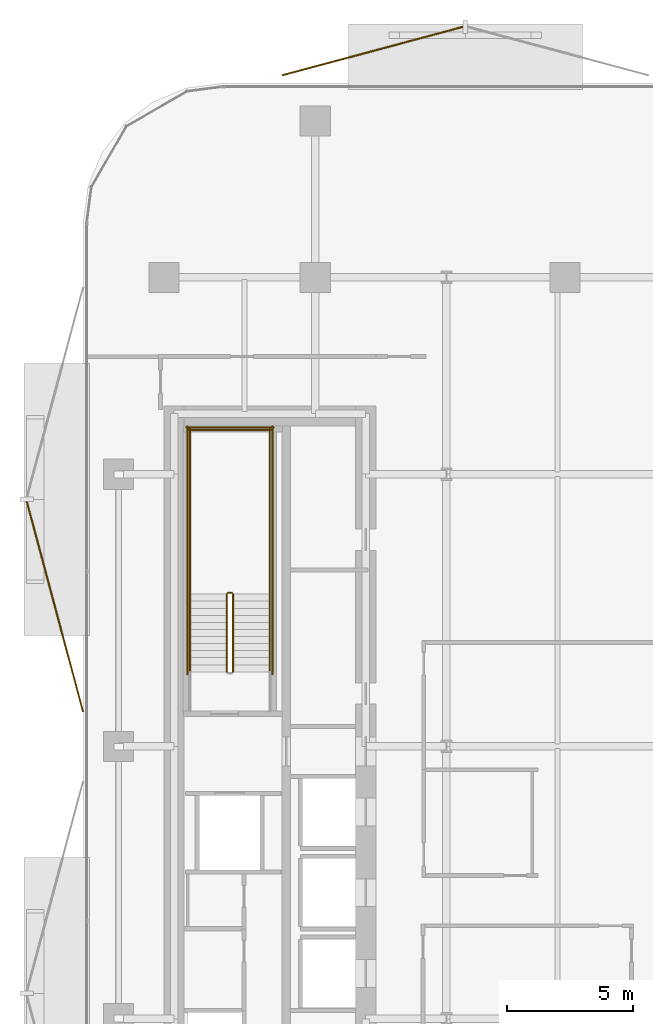
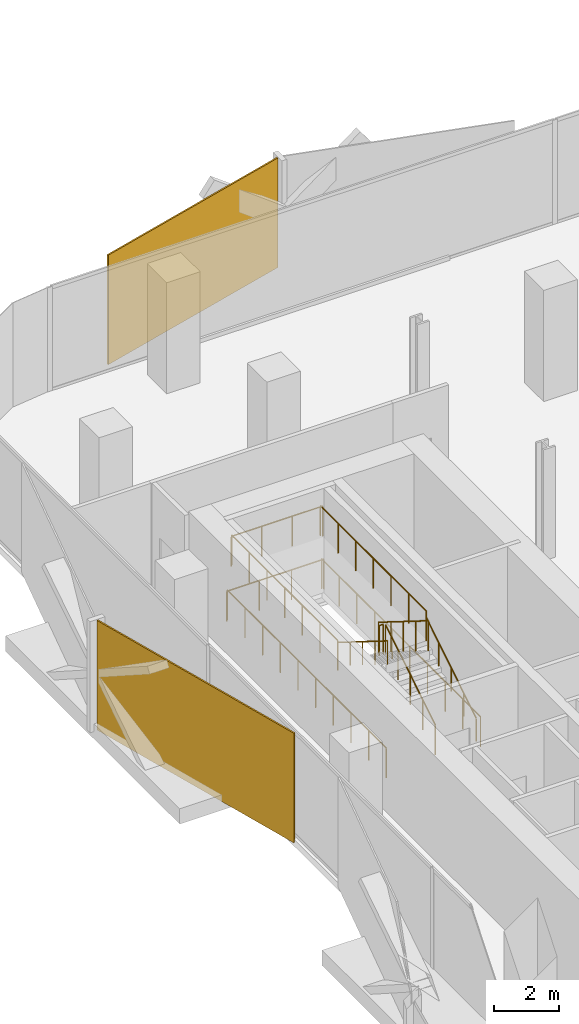
# One storey, part 14 of 15: 11 railings, 2 coverings.
"""IFC4 building model written with IfcOpenShell, lengths in metres."""

import ifcopenshell
import ifcopenshell.guid

model = None  # the IFC model being written
_history = None  # IfcOwnerHistory: only IFC2X3 demands one
_inside = {}  # id of a spatial element -> (the spatial element, [elements in it])
_under = {}  # id of a project, library or spatial element -> (it, [spatial elements below it])
_declared = {}  # id of a project -> (the project, [libraries it declares])
_typed = {}  # id of a type object -> (the type object, [elements of that type])
_made_of = {}  # id of a material, layer set ... -> (it, [elements and type objects made of it])


def new_model(schema):
    """Start an empty IFC model of exactly this schema.

    Asked for "IFC4X3", IfcOpenShell would pick the latest addendum, in which some entities
    have other attributes; the version numbers below select the first issue.
    IFC2X3 requires an IfcOwnerHistory on every rooted entity: one is made here for all.
    """
    global model, _history
    if schema == "IFC4X3":
        model = ifcopenshell.file(schema_version=(4, 3, 0, 0))
    else:
        model = ifcopenshell.file(schema=schema)
    _inside.clear()
    _under.clear()
    _declared.clear()
    _typed.clear()
    _made_of.clear()
    _history = None
    if model.schema == "IFC2X3":
        org = make("IfcOrganization", Name="unknown")
        user = make(
            "IfcPersonAndOrganization",
            ThePerson=make("IfcPerson", FamilyName="unknown"),
            TheOrganization=org,
        )
        app = make(
            "IfcApplication",
            ApplicationDeveloper=org,
            Version="unknown",
            ApplicationFullName="unknown",
            ApplicationIdentifier="unknown",
        )
        _history = make(
            "IfcOwnerHistory",
            OwningUser=user,
            OwningApplication=app,
            ChangeAction="ADDED",
            CreationDate=0,
        )
    return model


def make(cls, **values):
    """One entity of the class cls with the attributes given. An attribute that is None is left unset."""
    return model.create_entity(
        cls, **{name: value for name, value in values.items() if value is not None}
    )


def rooted(cls, **values):
    """An entity with a GlobalId (a new one), such as an element, a storey or a relation."""
    return make(cls, GlobalId=ifcopenshell.guid.new(), OwnerHistory=_history, **values)


def si_unit(unit_type, name, prefix=None):
    """IfcSIUnit, for example si_unit("LENGTHUNIT", "METRE", prefix="MILLI")."""
    return make("IfcSIUnit", UnitType=unit_type, Prefix=prefix, Name=name)


def assignment(units):
    """IfcUnitAssignment: the units of a project."""
    return None if units is None else make("IfcUnitAssignment", Units=units)


def point(xyz):
    """IfcCartesianPoint."""
    return None if xyz is None else make("IfcCartesianPoint", Coordinates=xyz)


def direction(xyz):
    """IfcDirection."""
    return None if xyz is None else make("IfcDirection", DirectionRatios=xyz)


def frame(location, z_axis=None, x_axis=None):
    """IfcAxis2Placement3D, a coordinate frame: its origin and axes. An axis left out is left unset."""
    return make(
        "IfcAxis2Placement3D",
        Location=point(location),
        Axis=direction(z_axis),
        RefDirection=direction(x_axis),
    )


def frame_2d(location, x_axis=None):
    """IfcAxis2Placement2D, a coordinate frame in the plane: its origin and x axis."""
    return make(
        "IfcAxis2Placement2D", Location=point(location), RefDirection=direction(x_axis)
    )


def origin():
    """The frame at (0, 0, 0) with its axes left unset."""
    return frame((0.0, 0.0, 0.0))


def origin_2d():
    """The frame at (0, 0) in the plane with its x axis left unset."""
    return frame_2d((0.0, 0.0))


def place(relative_to, where):
    """IfcLocalPlacement: puts the frame where relative to a parent placement (None: the world)."""
    return make(
        "IfcLocalPlacement", PlacementRelTo=relative_to, RelativePlacement=where
    )


def context(
    kind, dimensions, precision=None, world=None, true_north=None, identifier=None
):
    """IfcGeometricRepresentationContext, for example the 3D "Model" context."""
    return make(
        "IfcGeometricRepresentationContext",
        ContextIdentifier=identifier,
        ContextType=kind,
        CoordinateSpaceDimension=dimensions,
        Precision=precision,
        WorldCoordinateSystem=world,
        TrueNorth=true_north,
    )


def subcontext(parent, identifier, kind, view, scale=None):
    """IfcGeometricRepresentationSubContext, for example "Body" below "Model"."""
    return make(
        "IfcGeometricRepresentationSubContext",
        ContextIdentifier=identifier,
        ContextType=kind,
        ParentContext=parent,
        TargetScale=scale,
        TargetView=view,
    )


def project(units=None, contexts=None):
    """IfcProject with its units and contexts."""
    return rooted(
        "IfcProject",
        Name="project",
        RepresentationContexts=contexts,
        UnitsInContext=assignment(units),
    )


def spatial(cls, under=None, at=None, **own):
    """A site, building, storey or space (cls), placed at a placement, below another one or the project."""
    s = rooted(cls, ObjectPlacement=at, **own)
    if under is not None:
        _under.setdefault(under.id(), (under, []))[1].append(s)
    return s


def profile(cls, at=None, kind="AREA", **sizes):
    """A parametric profile (cls). Its sizes go by their IFC names, for example OverallWidth=200.0."""
    return make(cls, ProfileType=kind, Position=at, **sizes)


def rectangle(**sizes):
    """IfcRectangleProfileDef."""
    return profile("IfcRectangleProfileDef", **sizes)


def circle(**sizes):
    """IfcCircleProfileDef."""
    return profile("IfcCircleProfileDef", **sizes)


def extrude(swept, where, along, depth):
    """IfcExtrudedAreaSolid: the profile swept, set in the frame where, extruded along a direction by depth."""
    return make(
        "IfcExtrudedAreaSolid",
        SweptArea=swept,
        Position=where,
        ExtrudedDirection=direction(along),
        Depth=depth,
    )


def shape(context_of_items, identifier, shape_type, items):
    """IfcShapeRepresentation: the items that make up one representation, for example the "Body"."""
    return make(
        "IfcShapeRepresentation",
        ContextOfItems=context_of_items,
        RepresentationIdentifier=identifier,
        RepresentationType=shape_type,
        Items=items,
    )


def material(Name=None, Category=None):
    """IfcMaterial."""
    return make("IfcMaterial", Name=Name, Category=Category)


def layer(
    of_material, thickness, ventilated=None, Name=None, Category=None, Priority=None
):
    """IfcMaterialLayer: one layer of a wall or slab, of a material (None: an air gap)."""
    return make(
        "IfcMaterialLayer",
        Material=of_material,
        LayerThickness=thickness,
        IsVentilated=ventilated,
        Name=Name,
        Category=Category,
        Priority=Priority,
    )


def layer_set(layers, Name=None):
    """IfcMaterialLayerSet."""
    return make("IfcMaterialLayerSet", MaterialLayers=layers, LayerSetName=Name)


def made_of(thing, what):
    """Note that an element or type object is made of a material, layer set ...; save() writes the relation."""
    if what is not None:
        _made_of.setdefault(what.id(), (what, []))[1].append(thing)
    return thing


def type_object(cls, material=None, **own):
    """A type object (cls), such as IfcWallType, which elements share."""
    return made_of(rooted(cls, **own), material)


def element(
    cls,
    number,
    at=None,
    inside=None,
    cuts=None,
    type_object=None,
    material=None,
    context=None,
    identifier="Body",
    shape_type=None,
    held_by="IfcProductDefinitionShape",
    body=None,
    shapes=None,
    **own,
):
    """One element of the class cls, such as IfcWall. Its Tag is "e" and its number.

    at: its placement. inside: the storey or other place that contains it. cuts: it is an
    opening in that element (IfcRelVoidsElement). A single representation is given by context,
    identifier, shape_type and body (its items); several are given by shapes. held_by: the class
    of the entity that holds the representations. save() writes the other relations.
    """
    e = rooted(cls, Tag="e%d" % number, ObjectPlacement=at, **own)
    if body is not None:
        shapes = [shape(context, identifier, shape_type, body)]
    if shapes is not None:
        e.Representation = make(held_by, Representations=shapes)
    if inside is not None:
        _inside.setdefault(inside.id(), (inside, []))[1].append(e)
    if cuts is not None:
        rooted(
            "IfcRelVoidsElement", RelatingBuildingElement=cuts, RelatedOpeningElement=e
        )
    if type_object is not None:
        _typed.setdefault(type_object.id(), (type_object, []))[1].append(e)
    return made_of(e, material)


def aggregate(whole, parts):
    """IfcRelAggregates: a whole, such as a stair, and the parts it consists of."""
    return rooted("IfcRelAggregates", RelatingObject=whole, RelatedObjects=parts)


def save(model, path):
    """Write the relations noted so far, then the file.

    IfcRelAggregates (storeys below a building ...), IfcRelContainedInSpatialStructure (elements
    in a storey), IfcRelDefinesByType, IfcRelAssociatesMaterial and IfcRelDeclares: one each for
    every whole, place, type object, material and project.
    """
    for whole, parts in _under.values():
        aggregate(whole, parts)
    for where, things in _inside.values():
        rooted(
            "IfcRelContainedInSpatialStructure",
            RelatedElements=things,
            RelatingStructure=where,
        )
    for kind, things in _typed.values():
        rooted("IfcRelDefinesByType", RelatedObjects=things, RelatingType=kind)
    for what, things in _made_of.values():
        rooted("IfcRelAssociatesMaterial", RelatedObjects=things, RelatingMaterial=what)
    for by, libraries in _declared.values():
        rooted("IfcRelDeclares", RelatingContext=by, RelatedDefinitions=libraries)
    model.write(path)


model = new_model("IFC4")

# Units and contexts
model_context = context("Model", 3, precision=1e-05, world=origin(), true_north=direction((0.0, 1.0)))
body_context = subcontext(model_context, "Body", "Model", "MODEL_VIEW")
ifc_project = project(units=[si_unit("LENGTHUNIT", "METRE"), si_unit("AREAUNIT", "SQUARE_METRE"), si_unit("VOLUMEUNIT", "CUBIC_METRE"), si_unit("PLANEANGLEUNIT", "RADIAN"), si_unit("MASSUNIT", "GRAM", prefix="KILO")], contexts=[model_context])

# Site, building, storey
site_placement = place(None, origin())
site = spatial("IfcSite", under=ifc_project, at=site_placement, CompositionType="ELEMENT")
building_placement = place(site_placement, origin())
building = spatial("IfcBuilding", under=site, at=building_placement, Name="Khairoan Windgate Tower", CompositionType="ELEMENT")
storey_placement = place(building_placement, frame((0.0, 0.0, 110.0)))
storey = spatial("IfcBuildingStorey", under=building, at=storey_placement, Name="L25", CompositionType="ELEMENT", Elevation=110.0)

# Coverings
ifc_material_1 = material(Name="Anodised Bronze Aluminium 6063-T6", Category="aluminium")
ifc_layer = layer(ifc_material_1, 0.054931640625, Name="Anodised Bronze Aluminium 6063-T6")
ifc_layer_set = layer_set([ifc_layer], Name="Anodised Bronze Aluminium 6063-T6")
covering_type = type_object("IfcCoveringType", Name="Perforated Bronze-Ceramic Folded Solar Screen Cladding BSC-1", PredefinedType="CLADDING", material=ifc_layer_set)
covering_1_placement = place(storey_placement, frame((-24.724609375, 5.542236328125, -0.10009765625), z_axis=(0.0, 0.0, 1.0), x_axis=(-0.258819045103, 0.965925826289, 0.0)))
element("IfcCovering", 1, at=covering_1_placement, inside=storey, type_object=covering_type, Name="L25 Folded Bronze Solar Screen Facet 148L", PredefinedType="CLADDING", context=body_context, shape_type="SweptSolid", body=[
    extrude(rectangle(XDim=8.6201171875, YDim=0.054931640625, at=origin_2d()), origin(), (0.0, 0.0, 1.0), 4.139892578125),
])
covering_2_placement = place(storey_placement, frame((-12.124755859375, 27.578125, -0.10009765625), z_axis=(0.0, 0.0, 1.0), x_axis=(0.965925826289, 0.258819045103, 0.0)))
element("IfcCovering", 2, at=covering_2_placement, inside=storey, type_object=covering_type, Name="L25 Folded Bronze Solar Screen Facet 149L", PredefinedType="CLADDING", context=body_context, shape_type="SweptSolid", body=[
    extrude(rectangle(XDim=7.431884765625, YDim=0.054931640625, at=origin_2d()), origin(), (0.0, 0.0, 1.0), 4.139892578125),
])

# Railings
ifc_material_2 = material(Name="Anodised Bronze Aluminium 6063-T6", Category="aluminium")
railing_type_1 = type_object("IfcRailingType", Name="Stair Wall Handrail SHR-900", PredefinedType="HANDRAIL", material=ifc_material_2)
railing_1_placement = place(storey_placement, frame((-16.199951171875, 2.9599609375, 0.175048828125)))
element("IfcRailing", 3, at=railing_1_placement, inside=storey, type_object=railing_type_1, Name="L25 ST2 stair handrail 1", PredefinedType="HANDRAIL", context=body_context, shape_type="SweptSolid", body=[
    extrude(circle(Radius=0.02392578125, at=origin_2d()), frame((0.0, 0.0, 0.8759765625), z_axis=(0.0, 0.847998304005, 0.529998940003), x_axis=(-1.0, 0.0, 0.0)), (0.0, 0.0, 1.0), 3.632080078125),
    extrude(circle(Radius=0.02099609375, at=origin_2d()), origin(), (0.0, 0.0, 1.0), 0.851806640625),
    extrude(circle(Radius=0.02099609375, at=origin_2d()), frame((0.0, 0.77001953125, 0.481201171875)), (0.0, 0.0, 1.0), 0.851806640625),
    extrude(circle(Radius=0.02099609375, at=origin_2d()), frame((0.0, 1.5400390625, 0.96240234375)), (0.0, 0.0, 1.0), 0.851806640625),
    extrude(circle(Radius=0.02099609375, at=origin_2d()), frame((0.0, 2.31005859375, 1.44384765625)), (0.0, 0.0, 1.0), 0.851806640625),
    extrude(circle(Radius=0.02099609375, at=origin_2d()), frame((0.0, 3.080078125, 1.925048828125)), (0.0, 0.0, 1.0), 0.851806640625),
])
railing_2_placement = place(storey_placement, frame((-19.3701171875, 6.0400390625, 2.27490234375)))
element("IfcRailing", 4, at=railing_2_placement, inside=storey, type_object=railing_type_1, Name="L25 ST2 stair handrail 2", PredefinedType="HANDRAIL", context=body_context, shape_type="SweptSolid", body=[
    extrude(circle(Radius=0.02392578125, at=origin_2d()), frame((0.0, 0.0, 0.8759765625), z_axis=(0.0, -0.847998304005, 0.529998940003), x_axis=(1.0, 0.0, 0.0)), (0.0, 0.0, 1.0), 3.632080078125),
    extrude(circle(Radius=0.02099609375, at=origin_2d()), origin(), (0.0, 0.0, 1.0), 0.851806640625),
    extrude(circle(Radius=0.02099609375, at=origin_2d()), frame((0.0, -0.77001953125, 0.481201171875)), (0.0, 0.0, 1.0), 0.851806640625),
    extrude(circle(Radius=0.02099609375, at=origin_2d()), frame((0.0, -1.5400390625, 0.96240234375)), (0.0, 0.0, 1.0), 0.851806640625),
    extrude(circle(Radius=0.02099609375, at=origin_2d()), frame((0.0, -2.31005859375, 1.44384765625)), (0.0, 0.0, 1.0), 0.851806640625),
    extrude(circle(Radius=0.02099609375, at=origin_2d()), frame((0.0, -3.080078125, 1.925048828125)), (0.0, 0.0, 1.0), 0.851806640625),
])
ifc_material_3 = material(Name="Steel S355", Category="steel")
railing_type_2 = type_object("IfcRailingType", Name="Stairwell Safety Guardrail SGR-1150", PredefinedType="GUARDRAIL", material=ifc_material_3)
railing_3_placement = place(storey_placement, frame((-17.659912109375, 2.9599609375, 0.175048828125)))
element("IfcRailing", 5, at=railing_3_placement, inside=storey, type_object=railing_type_2, Name="L25 ST2 stair guard 1", PredefinedType="GUARDRAIL", context=body_context, shape_type="SweptSolid", body=[
    extrude(circle(Radius=0.02392578125, at=origin_2d()), frame((0.0, 0.0, 1.1259765625), z_axis=(0.0, 0.847998304005, 0.529998940003), x_axis=(-1.0, 0.0, 0.0)), (0.0, 0.0, 1.0), 3.632080078125),
    extrude(circle(Radius=0.02099609375, at=origin_2d()), origin(), (0.0, 0.0, 1.0), 1.101806640625),
    extrude(circle(Radius=0.02099609375, at=origin_2d()), frame((0.0, 0.77001953125, 0.481201171875)), (0.0, 0.0, 1.0), 1.101806640625),
    extrude(circle(Radius=0.02099609375, at=origin_2d()), frame((0.0, 1.5400390625, 0.96240234375)), (0.0, 0.0, 1.0), 1.101806640625),
    extrude(circle(Radius=0.02099609375, at=origin_2d()), frame((0.0, 2.31005859375, 1.44384765625)), (0.0, 0.0, 1.0), 1.101806640625),
    extrude(circle(Radius=0.02099609375, at=origin_2d()), frame((0.0, 3.080078125, 1.925048828125)), (0.0, 0.0, 1.0), 1.101806640625),
])
railing_4_placement = place(storey_placement, frame((-17.7099609375, 6.090087890625, 2.10009765625)))
element("IfcRailing", 6, at=railing_4_placement, inside=storey, type_object=railing_type_2, Name="L25 ST2 stair guard 2", PredefinedType="GUARDRAIL", context=body_context, shape_type="SweptSolid", body=[
    extrude(circle(Radius=0.02392578125, at=origin_2d()), frame((0.0, 0.0, 1.1259765625), z_axis=(-1.0, 0.0, 0.0), x_axis=(0.0, -1.0, 0.0)), (0.0, 0.0, 1.0), 0.150146484375),
    extrude(circle(Radius=0.02099609375, at=origin_2d()), origin(), (0.0, 0.0, 1.0), 1.101806640625),
    extrude(circle(Radius=0.02099609375, at=origin_2d()), frame((-0.150146484375, 0.0, 0.0)), (0.0, 0.0, 1.0), 1.101806640625),
])
for number, where, name in (
    (7, (-16.199951171875, 6.0400390625, 2.10009765625), "L25 ST2 stair guard 3"),
    (8, (-19.3701171875, 6.0400390625, 2.10009765625), "L25 ST2 stair guard 4"),
):
    element("IfcRailing", number, at=place(storey_placement, frame(where)), inside=storey, type_object=railing_type_2, Name=name, PredefinedType="GUARDRAIL", context=body_context, shape_type="SweptSolid", body=[
        extrude(circle(Radius=0.02392578125, at=origin_2d()), frame((0.0, 0.0, 1.1259765625), z_axis=(0.0, 1.0, 0.0), x_axis=(-1.0, 0.0, 0.0)), (0.0, 0.0, 1.0), 6.56005859375),
        extrude(circle(Radius=0.02099609375, at=origin_2d()), origin(), (0.0, 0.0, 1.0), 1.101806640625),
        extrude(circle(Radius=0.02099609375, at=origin_2d()), frame((0.0, 1.09326171875, 0.0)), (0.0, 0.0, 1.0), 1.101806640625),
        extrude(circle(Radius=0.02099609375, at=origin_2d()), frame((0.0, 2.186767578125, 0.0)), (0.0, 0.0, 1.0), 1.101806640625),
        extrude(circle(Radius=0.02099609375, at=origin_2d()), frame((0.0, 3.280029296875, 0.0)), (0.0, 0.0, 1.0), 1.101806640625),
        extrude(circle(Radius=0.02099609375, at=origin_2d()), frame((0.0, 4.373291015625, 0.0)), (0.0, 0.0, 1.0), 1.101806640625),
        extrude(circle(Radius=0.02099609375, at=origin_2d()), frame((0.0, 5.466796875, 0.0)), (0.0, 0.0, 1.0), 1.101806640625),
        extrude(circle(Radius=0.02099609375, at=origin_2d()), frame((0.0, 6.56005859375, 0.0)), (0.0, 0.0, 1.0), 1.101806640625),
    ])
railing_5_placement = place(storey_placement, frame((-16.14990234375, 12.550048828125, 2.10009765625)))
element("IfcRailing", 9, at=railing_5_placement, inside=storey, type_object=railing_type_2, Name="L25 ST2 stair guard 5", PredefinedType="GUARDRAIL", context=body_context, shape_type="SweptSolid", body=[
    extrude(circle(Radius=0.02392578125, at=origin_2d()), frame((0.0, 0.0, 1.1259765625), z_axis=(-1.0, 0.0, 0.0), x_axis=(0.0, -1.0, 0.0)), (0.0, 0.0, 1.0), 3.27001953125),
    extrude(circle(Radius=0.02099609375, at=origin_2d()), origin(), (0.0, 0.0, 1.0), 1.101806640625),
    extrude(circle(Radius=0.02099609375, at=origin_2d()), frame((-1.090087890625, 0.0, 0.0)), (0.0, 0.0, 1.0), 1.101806640625),
    extrude(circle(Radius=0.02099609375, at=origin_2d()), frame((-2.179931640625, 0.0, 0.0)), (0.0, 0.0, 1.0), 1.101806640625),
    extrude(circle(Radius=0.02099609375, at=origin_2d()), frame((-3.27001953125, 0.0, 0.0)), (0.0, 0.0, 1.0), 1.101806640625),
])
railing_6_placement = place(storey_placement, frame((-17.909912109375, 6.0400390625, 2.27490234375)))
element("IfcRailing", 10, at=railing_6_placement, inside=storey, type_object=railing_type_2, Name="L25 ST2 stair guard 6", PredefinedType="GUARDRAIL", context=body_context, shape_type="SweptSolid", body=[
    extrude(circle(Radius=0.02392578125, at=origin_2d()), frame((0.0, 0.0, 1.1259765625), z_axis=(0.0, -0.847998304005, 0.529998940003), x_axis=(1.0, 0.0, 0.0)), (0.0, 0.0, 1.0), 3.632080078125),
    extrude(circle(Radius=0.02099609375, at=origin_2d()), origin(), (0.0, 0.0, 1.0), 1.101806640625),
    extrude(circle(Radius=0.02099609375, at=origin_2d()), frame((0.0, -0.77001953125, 0.481201171875)), (0.0, 0.0, 1.0), 1.101806640625),
    extrude(circle(Radius=0.02099609375, at=origin_2d()), frame((0.0, -1.5400390625, 0.96240234375)), (0.0, 0.0, 1.0), 1.101806640625),
    extrude(circle(Radius=0.02099609375, at=origin_2d()), frame((0.0, -2.31005859375, 1.44384765625)), (0.0, 0.0, 1.0), 1.101806640625),
    extrude(circle(Radius=0.02099609375, at=origin_2d()), frame((0.0, -3.080078125, 1.925048828125)), (0.0, 0.0, 1.0), 1.101806640625),
])
for number, where, name in (
    (11, (-16.10009765625, 2.860107421875, 0.0), "L25 ST2 stair guard 10"),
    (12, (-19.469970703125, 2.860107421875, 0.0), "L25 ST2 stair guard 11"),
):
    element("IfcRailing", number, at=place(storey_placement, frame(where)), inside=storey, type_object=railing_type_2, Name=name, PredefinedType="GUARDRAIL", context=body_context, shape_type="SweptSolid", body=[
        extrude(circle(Radius=0.02392578125, at=origin_2d()), frame((0.0, 0.0, 1.1259765625), z_axis=(0.0, 1.0, 0.0), x_axis=(-1.0, 0.0, 0.0)), (0.0, 0.0, 1.0), 9.83984375),
        extrude(circle(Radius=0.02099609375, at=origin_2d()), origin(), (0.0, 0.0, 1.0), 1.101806640625),
        extrude(circle(Radius=0.02099609375, at=origin_2d()), frame((0.0, 1.09326171875, 0.0)), (0.0, 0.0, 1.0), 1.101806640625),
        extrude(circle(Radius=0.02099609375, at=origin_2d()), frame((0.0, 2.1865234375, 0.0)), (0.0, 0.0, 1.0), 1.101806640625),
        extrude(circle(Radius=0.02099609375, at=origin_2d()), frame((0.0, 3.280029296875, 0.0)), (0.0, 0.0, 1.0), 1.101806640625),
        extrude(circle(Radius=0.02099609375, at=origin_2d()), frame((0.0, 4.373291015625, 0.0)), (0.0, 0.0, 1.0), 1.101806640625),
        extrude(circle(Radius=0.02099609375, at=origin_2d()), frame((0.0, 5.466552734375, 0.0)), (0.0, 0.0, 1.0), 1.101806640625),
        extrude(circle(Radius=0.02099609375, at=origin_2d()), frame((0.0, 6.559814453125, 0.0)), (0.0, 0.0, 1.0), 1.101806640625),
        extrude(circle(Radius=0.02099609375, at=origin_2d()), frame((0.0, 7.6533203125, 0.0)), (0.0, 0.0, 1.0), 1.101806640625),
        extrude(circle(Radius=0.02099609375, at=origin_2d()), frame((0.0, 8.74658203125, 0.0)), (0.0, 0.0, 1.0), 1.101806640625),
        extrude(circle(Radius=0.02099609375, at=origin_2d()), frame((0.0, 9.83984375, 0.0)), (0.0, 0.0, 1.0), 1.101806640625),
    ])
railing_7_placement = place(storey_placement, frame((-16.050048828125, 12.64990234375, 0.0)))
element("IfcRailing", 13, at=railing_7_placement, inside=storey, type_object=railing_type_2, Name="L25 ST2 stair guard 12", PredefinedType="GUARDRAIL", context=body_context, shape_type="SweptSolid", body=[
    extrude(circle(Radius=0.02392578125, at=origin_2d()), frame((0.0, 0.0, 1.1259765625), z_axis=(-1.0, 0.0, 0.0), x_axis=(0.0, -1.0, 0.0)), (0.0, 0.0, 1.0), 3.469970703125),
    extrude(circle(Radius=0.02099609375, at=origin_2d()), origin(), (0.0, 0.0, 1.0), 1.101806640625),
    extrude(circle(Radius=0.02099609375, at=origin_2d()), frame((-1.15673828125, 0.0, 0.0)), (0.0, 0.0, 1.0), 1.101806640625),
    extrude(circle(Radius=0.02099609375, at=origin_2d()), frame((-2.313232421875, 0.0, 0.0)), (0.0, 0.0, 1.0), 1.101806640625),
    extrude(circle(Radius=0.02099609375, at=origin_2d()), frame((-3.469970703125, 0.0, 0.0)), (0.0, 0.0, 1.0), 1.101806640625),
])

save(model, "model.ifc")
